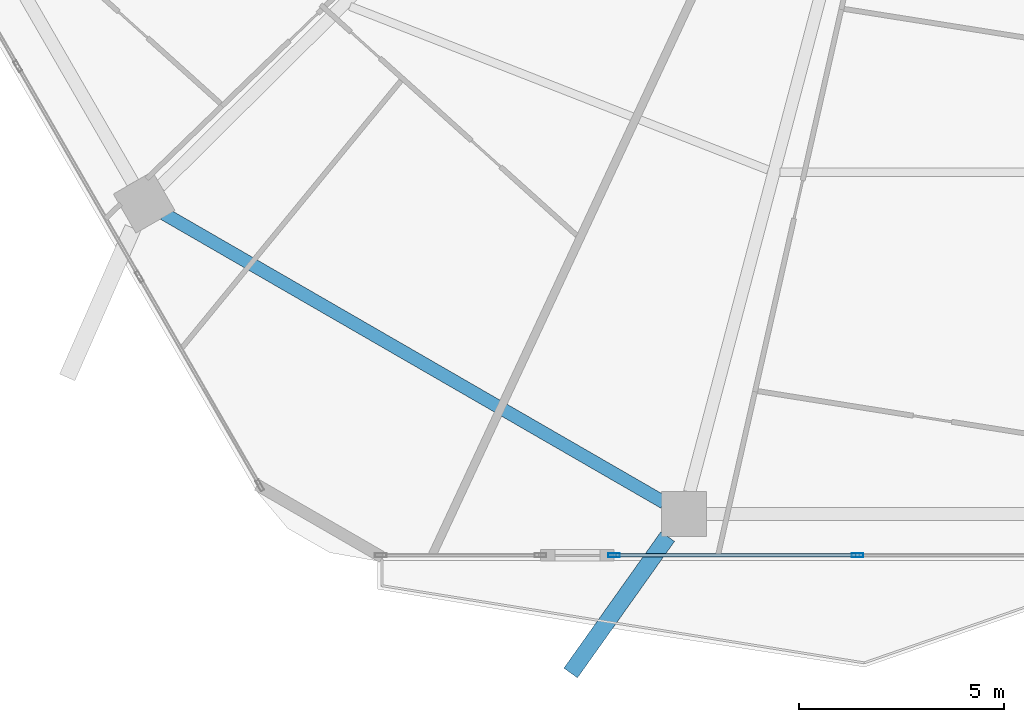
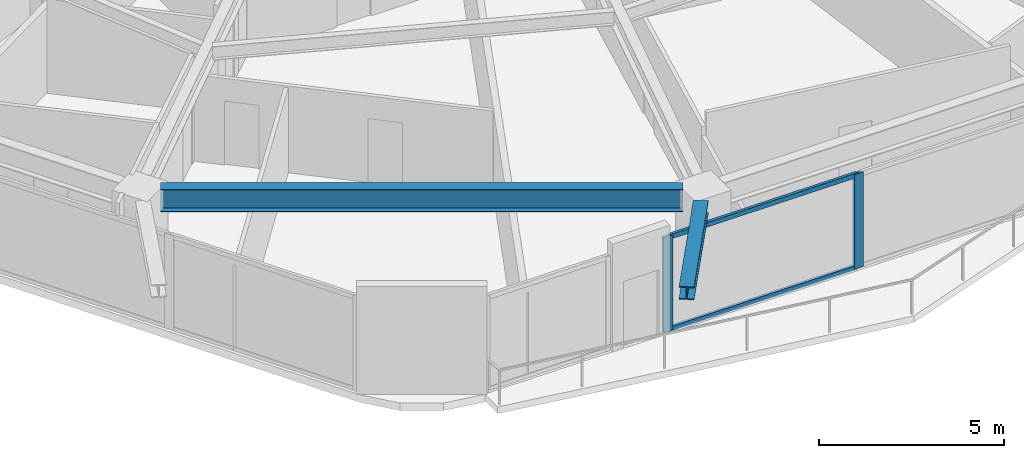
# One storey, part 3 of 33: 4 members, 2 beams, 1 element without a shape of its own.
"""IFC4 building model written with IfcOpenShell, lengths in metres."""

import ifcopenshell
import ifcopenshell.guid

model = None  # the IFC model being written
_history = None  # IfcOwnerHistory: only IFC2X3 demands one
_inside = {}  # id of a spatial element -> (the spatial element, [elements in it])
_under = {}  # id of a project, library or spatial element -> (it, [spatial elements below it])
_declared = {}  # id of a project -> (the project, [libraries it declares])
_typed = {}  # id of a type object -> (the type object, [elements of that type])
_made_of = {}  # id of a material, layer set ... -> (it, [elements and type objects made of it])


def new_model(schema):
    """Start an empty IFC model of exactly this schema.

    Asked for "IFC4X3", IfcOpenShell would pick the latest addendum, in which some entities
    have other attributes; the version numbers below select the first issue.
    IFC2X3 requires an IfcOwnerHistory on every rooted entity: one is made here for all.
    """
    global model, _history
    if schema == "IFC4X3":
        model = ifcopenshell.file(schema_version=(4, 3, 0, 0))
    else:
        model = ifcopenshell.file(schema=schema)
    _inside.clear()
    _under.clear()
    _declared.clear()
    _typed.clear()
    _made_of.clear()
    _history = None
    if model.schema == "IFC2X3":
        org = make("IfcOrganization", Name="unknown")
        user = make(
            "IfcPersonAndOrganization",
            ThePerson=make("IfcPerson", FamilyName="unknown"),
            TheOrganization=org,
        )
        app = make(
            "IfcApplication",
            ApplicationDeveloper=org,
            Version="unknown",
            ApplicationFullName="unknown",
            ApplicationIdentifier="unknown",
        )
        _history = make(
            "IfcOwnerHistory",
            OwningUser=user,
            OwningApplication=app,
            ChangeAction="ADDED",
            CreationDate=0,
        )
    return model


def make(cls, **values):
    """One entity of the class cls with the attributes given. An attribute that is None is left unset."""
    return model.create_entity(
        cls, **{name: value for name, value in values.items() if value is not None}
    )


def rooted(cls, **values):
    """An entity with a GlobalId (a new one), such as an element, a storey or a relation."""
    return make(cls, GlobalId=ifcopenshell.guid.new(), OwnerHistory=_history, **values)


def si_unit(unit_type, name, prefix=None):
    """IfcSIUnit, for example si_unit("LENGTHUNIT", "METRE", prefix="MILLI")."""
    return make("IfcSIUnit", UnitType=unit_type, Prefix=prefix, Name=name)


def assignment(units):
    """IfcUnitAssignment: the units of a project."""
    return None if units is None else make("IfcUnitAssignment", Units=units)


def point(xyz):
    """IfcCartesianPoint."""
    return None if xyz is None else make("IfcCartesianPoint", Coordinates=xyz)


def direction(xyz):
    """IfcDirection."""
    return None if xyz is None else make("IfcDirection", DirectionRatios=xyz)


def frame(location, z_axis=None, x_axis=None):
    """IfcAxis2Placement3D, a coordinate frame: its origin and axes. An axis left out is left unset."""
    return make(
        "IfcAxis2Placement3D",
        Location=point(location),
        Axis=direction(z_axis),
        RefDirection=direction(x_axis),
    )


def frame_2d(location, x_axis=None):
    """IfcAxis2Placement2D, a coordinate frame in the plane: its origin and x axis."""
    return make(
        "IfcAxis2Placement2D", Location=point(location), RefDirection=direction(x_axis)
    )


def origin():
    """The frame at (0, 0, 0) with its axes left unset."""
    return frame((0.0, 0.0, 0.0))


def origin_2d():
    """The frame at (0, 0) in the plane with its x axis left unset."""
    return frame_2d((0.0, 0.0))


def place(relative_to, where):
    """IfcLocalPlacement: puts the frame where relative to a parent placement (None: the world)."""
    return make(
        "IfcLocalPlacement", PlacementRelTo=relative_to, RelativePlacement=where
    )


def context(
    kind, dimensions, precision=None, world=None, true_north=None, identifier=None
):
    """IfcGeometricRepresentationContext, for example the 3D "Model" context."""
    return make(
        "IfcGeometricRepresentationContext",
        ContextIdentifier=identifier,
        ContextType=kind,
        CoordinateSpaceDimension=dimensions,
        Precision=precision,
        WorldCoordinateSystem=world,
        TrueNorth=true_north,
    )


def subcontext(parent, identifier, kind, view, scale=None):
    """IfcGeometricRepresentationSubContext, for example "Body" below "Model"."""
    return make(
        "IfcGeometricRepresentationSubContext",
        ContextIdentifier=identifier,
        ContextType=kind,
        ParentContext=parent,
        TargetScale=scale,
        TargetView=view,
    )


def project(units=None, contexts=None):
    """IfcProject with its units and contexts."""
    return rooted(
        "IfcProject",
        Name="project",
        RepresentationContexts=contexts,
        UnitsInContext=assignment(units),
    )


def spatial(cls, under=None, at=None, **own):
    """A site, building, storey or space (cls), placed at a placement, below another one or the project."""
    s = rooted(cls, ObjectPlacement=at, **own)
    if under is not None:
        _under.setdefault(under.id(), (under, []))[1].append(s)
    return s


def profile(cls, at=None, kind="AREA", **sizes):
    """A parametric profile (cls). Its sizes go by their IFC names, for example OverallWidth=200.0."""
    return make(cls, ProfileType=kind, Position=at, **sizes)


def hollow_rectangle(**sizes):
    """IfcRectangleHollowProfileDef."""
    return profile("IfcRectangleHollowProfileDef", **sizes)


def i_section(**sizes):
    """IfcIShapeProfileDef."""
    return profile("IfcIShapeProfileDef", **sizes)


def extrude(swept, where, along, depth):
    """IfcExtrudedAreaSolid: the profile swept, set in the frame where, extruded along a direction by depth."""
    return make(
        "IfcExtrudedAreaSolid",
        SweptArea=swept,
        Position=where,
        ExtrudedDirection=direction(along),
        Depth=depth,
    )


def shape(context_of_items, identifier, shape_type, items):
    """IfcShapeRepresentation: the items that make up one representation, for example the "Body"."""
    return make(
        "IfcShapeRepresentation",
        ContextOfItems=context_of_items,
        RepresentationIdentifier=identifier,
        RepresentationType=shape_type,
        Items=items,
    )


def material(Name=None, Category=None):
    """IfcMaterial."""
    return make("IfcMaterial", Name=Name, Category=Category)


def material_profile(
    of_material, cross_section, Name=None, Category=None, Priority=None
):
    """IfcMaterialProfile: a cross section and its material."""
    return make(
        "IfcMaterialProfile",
        Name=Name,
        Material=of_material,
        Profile=cross_section,
        Priority=Priority,
        Category=Category,
    )


def profile_set(profiles, Name=None, composite=None):
    """IfcMaterialProfileSet."""
    return make(
        "IfcMaterialProfileSet",
        Name=Name,
        MaterialProfiles=profiles,
        CompositeProfile=composite,
    )


def made_of(thing, what):
    """Note that an element or type object is made of a material, layer set ...; save() writes the relation."""
    if what is not None:
        _made_of.setdefault(what.id(), (what, []))[1].append(thing)
    return thing


def type_object(cls, material=None, **own):
    """A type object (cls), such as IfcWallType, which elements share."""
    return made_of(rooted(cls, **own), material)


def element(
    cls,
    number,
    at=None,
    inside=None,
    cuts=None,
    type_object=None,
    material=None,
    context=None,
    identifier="Body",
    shape_type=None,
    held_by="IfcProductDefinitionShape",
    body=None,
    shapes=None,
    **own,
):
    """One element of the class cls, such as IfcWall. Its Tag is "e" and its number.

    at: its placement. inside: the storey or other place that contains it. cuts: it is an
    opening in that element (IfcRelVoidsElement). A single representation is given by context,
    identifier, shape_type and body (its items); several are given by shapes. held_by: the class
    of the entity that holds the representations. save() writes the other relations.
    """
    e = rooted(cls, Tag="e%d" % number, ObjectPlacement=at, **own)
    if body is not None:
        shapes = [shape(context, identifier, shape_type, body)]
    if shapes is not None:
        e.Representation = make(held_by, Representations=shapes)
    if inside is not None:
        _inside.setdefault(inside.id(), (inside, []))[1].append(e)
    if cuts is not None:
        rooted(
            "IfcRelVoidsElement", RelatingBuildingElement=cuts, RelatedOpeningElement=e
        )
    if type_object is not None:
        _typed.setdefault(type_object.id(), (type_object, []))[1].append(e)
    return made_of(e, material)


def aggregate(whole, parts):
    """IfcRelAggregates: a whole, such as a stair, and the parts it consists of."""
    return rooted("IfcRelAggregates", RelatingObject=whole, RelatedObjects=parts)


def save(model, path):
    """Write the relations noted so far, then the file.

    IfcRelAggregates (storeys below a building ...), IfcRelContainedInSpatialStructure (elements
    in a storey), IfcRelDefinesByType, IfcRelAssociatesMaterial and IfcRelDeclares: one each for
    every whole, place, type object, material and project.
    """
    for whole, parts in _under.values():
        aggregate(whole, parts)
    for where, things in _inside.values():
        rooted(
            "IfcRelContainedInSpatialStructure",
            RelatedElements=things,
            RelatingStructure=where,
        )
    for kind, things in _typed.values():
        rooted("IfcRelDefinesByType", RelatedObjects=things, RelatingType=kind)
    for what, things in _made_of.values():
        rooted("IfcRelAssociatesMaterial", RelatedObjects=things, RelatingMaterial=what)
    for by, libraries in _declared.values():
        rooted("IfcRelDeclares", RelatingContext=by, RelatedDefinitions=libraries)
    model.write(path)


model = new_model("IFC4")

# Units and contexts
model_context = context("Model", 3, precision=1e-05, world=origin(), true_north=direction((0.0, 1.0)))
body_context = subcontext(model_context, "Body", "Model", "MODEL_VIEW")
ifc_project = project(units=[si_unit("LENGTHUNIT", "METRE"), si_unit("AREAUNIT", "SQUARE_METRE"), si_unit("VOLUMEUNIT", "CUBIC_METRE"), si_unit("PLANEANGLEUNIT", "RADIAN"), si_unit("MASSUNIT", "GRAM", prefix="KILO")], contexts=[model_context])

# Site, building, storey
site_placement = place(None, origin())
site = spatial("IfcSite", under=ifc_project, at=site_placement, CompositionType="ELEMENT")
building_placement = place(site_placement, origin())
building = spatial("IfcBuilding", under=site, at=building_placement, Name="Zuhravey Tower", CompositionType="ELEMENT")
storey_placement = place(building_placement, frame((0.0, 0.0, 103.800048828125)))
storey = spatial("IfcBuildingStorey", under=building, at=storey_placement, Name="L25", CompositionType="ELEMENT", Elevation=103.800048828125)

# Curtain wall, members
ifc_material_1 = material(Name="Thermally broken anodised aluminium", Category="aluminium")
curtain_wall_type = type_object("IfcCurtainWallType", Name="Zone 1-2 Residential Curtain Wall CW3", PredefinedType="NOTDEFINED", material=ifc_material_1)
curtain_wall_placement = place(storey_placement, origin())
curtain_wall = element("IfcCurtainWall", 1, at=curtain_wall_placement, inside=storey, type_object=curtain_wall_type, Name="L25 CW3 CW-L25-F5-1", PredefinedType="NOTDEFINED")
ifc_material_2 = material(Name="Anodised aluminium", Category="aluminium")
ifc_material_profile_1 = material_profile(ifc_material_2, hollow_rectangle(XDim=0.090087890625, YDim=0.284912109375, WallThickness=0.0048828125, at=origin_2d()), Name="ALU-RHS-90x285x5")
ifc_profile_set_1 = profile_set([ifc_material_profile_1], Name="Anodised aluminium")
member_type_1 = type_object("IfcMemberType", Name="Curtain-Wall Mullion 90x180", PredefinedType="MULLION", material=ifc_profile_set_1)
member_1_placement = place(storey_placement, frame((32.863525390625, 3.04150390625, 0.0), z_axis=(0.0, 0.0, 1.0), x_axis=(0.0, -1.0, 0.0)))
member_1 = element("IfcMember", 2, at=member_1_placement, type_object=member_type_1, Name="CW3 mullion 4", PredefinedType="MULLION", context=body_context, shape_type="SweptSolid", body=[
    extrude(hollow_rectangle(XDim=0.090087890625, YDim=0.284912109375, WallThickness=0.0048828125, at=origin_2d()), origin(), (0.0, 0.0, 1.0), 3.1220703125),
])
member_2_placement = place(storey_placement, frame((26.929931640625, 3.04150390625, 0.0), z_axis=(0.0, 0.0, 1.0), x_axis=(0.0, -1.0, 0.0)))
member_2 = element("IfcMember", 3, at=member_2_placement, type_object=member_type_1, Name="CW3 mullion 5", PredefinedType="MULLION", context=body_context, shape_type="SweptSolid", body=[
    extrude(hollow_rectangle(XDim=0.090087890625, YDim=0.284912109375, WallThickness=0.0048828125, at=origin_2d()), origin(), (0.0, 0.0, 1.0), 3.1220703125),
])
ifc_material_profile_2 = material_profile(ifc_material_2, hollow_rectangle(XDim=0.090087890625, YDim=0.14990234375, WallThickness=0.0048828125, at=origin_2d()), Name="ALU-RHS-90x150x5")
ifc_profile_set_2 = profile_set([ifc_material_profile_2], Name="Anodised aluminium")
member_type_2 = type_object("IfcMemberType", Name="Curtain-Wall Transom 90x150", PredefinedType="USERDEFINED", material=ifc_profile_set_2)
member_3_placement = place(storey_placement, frame((32.818603515625, 3.04150390625, 0.044921875), z_axis=(-1.0, 0.0, 0.0), x_axis=(0.0, -1.0, 0.0)))
member_3 = element("IfcMember", 4, at=member_3_placement, type_object=member_type_2, Name="CW3 transom 4.1", ObjectType="TRANSOM", PredefinedType="USERDEFINED", context=body_context, shape_type="SweptSolid", body=[
    extrude(hollow_rectangle(XDim=0.090087890625, YDim=0.14990234375, WallThickness=0.0048828125, at=origin_2d()), origin(), (0.0, 0.0, 1.0), 5.843505859375),
])
member_4_placement = place(storey_placement, frame((32.818603515625, 3.04150390625, 3.076904296875), z_axis=(-1.0, 0.0, 0.0), x_axis=(0.0, -1.0, 0.0)))
member_4 = element("IfcMember", 5, at=member_4_placement, type_object=member_type_2, Name="CW3 transom 4.2", ObjectType="TRANSOM", PredefinedType="USERDEFINED", context=body_context, shape_type="SweptSolid", body=[
    extrude(hollow_rectangle(XDim=0.090087890625, YDim=0.14990234375, WallThickness=0.0048828125, at=origin_2d()), origin(), (0.0, 0.0, 1.0), 5.843505859375),
])
aggregate(curtain_wall, [member_1, member_2, member_3, member_4])

# Beams
ifc_material_3 = material(Name="Steel SM460", Category="steel")
ifc_material_profile_3 = material_profile(ifc_material_3, i_section(OverallWidth=0.406982421875, OverallDepth=0.427978515625, WebThickness=0.02001953125, FlangeThickness=0.034912109375, at=origin_2d()), Name="H-428x407x20x35")
ifc_profile_set_3 = profile_set([ifc_material_profile_3], Name="Steel SM460")
beam_type_1 = type_object("IfcBeamType", Name="Exoskeleton Node Tie Beam H428x407", PredefinedType="BEAM", material=ifc_profile_set_3)
beam_1_placement = place(storey_placement, frame((28.236572265625, 3.498291015625, 3.3359375), z_axis=(-0.579635065749, -0.814876181118, 0.0), x_axis=(0.814876181118, -0.579635065749, 0.0)))
element("IfcBeam", 6, at=beam_1_placement, inside=storey, type_object=beam_type_1, Name="L25 Exoskeleton Node Tie NT1-09", PredefinedType="BEAM", context=body_context, shape_type="SweptSolid", body=[
    extrude(i_section(OverallWidth=0.406982421875, OverallDepth=0.427978515625, WebThickness=0.02001953125, FlangeThickness=0.034912109375, at=origin_2d()), origin(), (0.0, 0.0, 1.0), 4.079833984375),
])
ifc_material_4 = material(Name="Steel SM355", Category="steel")
ifc_material_profile_4 = material_profile(ifc_material_4, i_section(OverallWidth=0.320068359375, OverallDepth=0.75, WebThickness=0.013916015625, FlangeThickness=0.02490234375, at=origin_2d()), Name="H-750x320x14x25")
ifc_profile_set_4 = profile_set([ifc_material_profile_4], Name="Steel SM355")
beam_type_2 = type_object("IfcBeamType", Name="Perimeter Ring Beam H750x320", PredefinedType="BEAM", material=ifc_profile_set_4)
beam_2_placement = place(storey_placement, frame((15.9599609375, 11.36669921875, 3.175048828125), z_axis=(0.866017786538, -0.500013193225, 0.0), x_axis=(0.500013193225, 0.866017786538, 0.0)))
element("IfcBeam", 7, at=beam_2_placement, inside=storey, type_object=beam_type_2, Name="L25 PB1 BM-L25-PB-08", PredefinedType="BEAM", context=body_context, shape_type="SweptSolid", body=[
    extrude(i_section(OverallWidth=0.320068359375, OverallDepth=0.75, WebThickness=0.013916015625, FlangeThickness=0.02490234375, at=origin_2d()), origin(), (0.0, 0.0, 1.0), 14.0771484375),
])

save(model, "model.ifc")
